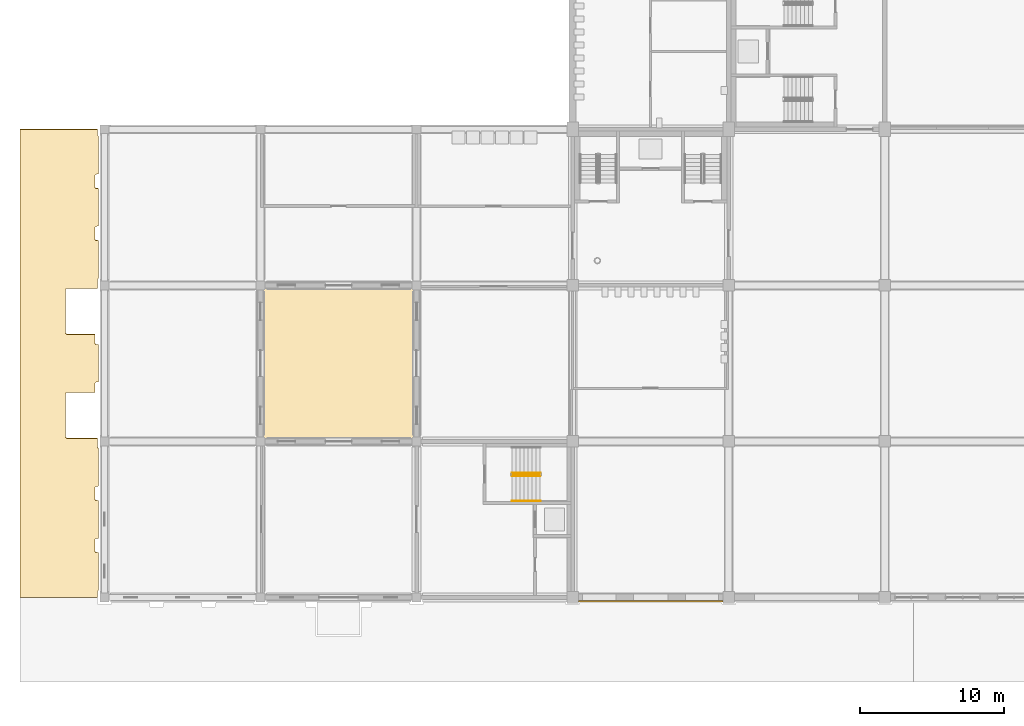
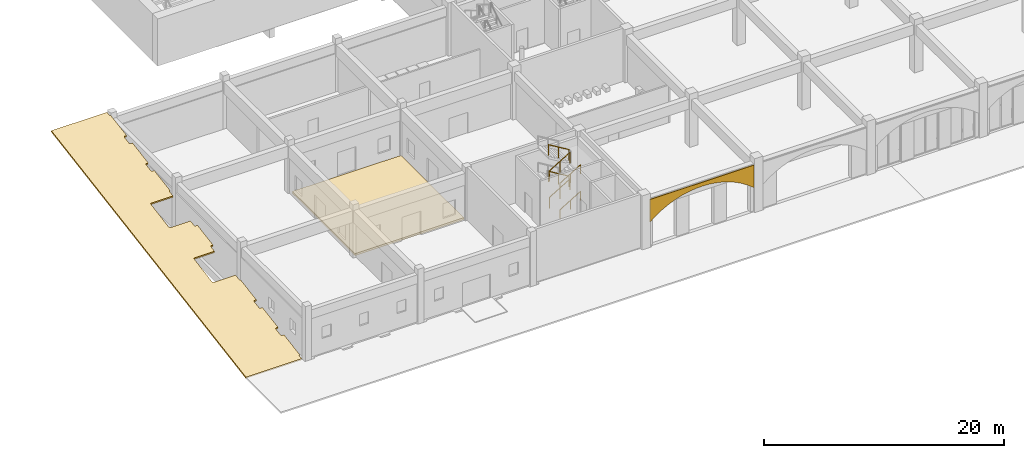
# One storey, part 75 of 101: 6 railings, 3 coverings.
"""IFC4 building model written with IfcOpenShell, lengths in metres."""

import ifcopenshell
import ifcopenshell.guid

model = None  # the IFC model being written
_history = None  # IfcOwnerHistory: only IFC2X3 demands one
_inside = {}  # id of a spatial element -> (the spatial element, [elements in it])
_under = {}  # id of a project, library or spatial element -> (it, [spatial elements below it])
_declared = {}  # id of a project -> (the project, [libraries it declares])
_typed = {}  # id of a type object -> (the type object, [elements of that type])
_made_of = {}  # id of a material, layer set ... -> (it, [elements and type objects made of it])


def new_model(schema):
    """Start an empty IFC model of exactly this schema.

    Asked for "IFC4X3", IfcOpenShell would pick the latest addendum, in which some entities
    have other attributes; the version numbers below select the first issue.
    IFC2X3 requires an IfcOwnerHistory on every rooted entity: one is made here for all.
    """
    global model, _history
    if schema == "IFC4X3":
        model = ifcopenshell.file(schema_version=(4, 3, 0, 0))
    else:
        model = ifcopenshell.file(schema=schema)
    _inside.clear()
    _under.clear()
    _declared.clear()
    _typed.clear()
    _made_of.clear()
    _history = None
    if model.schema == "IFC2X3":
        org = make("IfcOrganization", Name="unknown")
        user = make(
            "IfcPersonAndOrganization",
            ThePerson=make("IfcPerson", FamilyName="unknown"),
            TheOrganization=org,
        )
        app = make(
            "IfcApplication",
            ApplicationDeveloper=org,
            Version="unknown",
            ApplicationFullName="unknown",
            ApplicationIdentifier="unknown",
        )
        _history = make(
            "IfcOwnerHistory",
            OwningUser=user,
            OwningApplication=app,
            ChangeAction="ADDED",
            CreationDate=0,
        )
    return model


def make(cls, **values):
    """One entity of the class cls with the attributes given. An attribute that is None is left unset."""
    return model.create_entity(
        cls, **{name: value for name, value in values.items() if value is not None}
    )


def rooted(cls, **values):
    """An entity with a GlobalId (a new one), such as an element, a storey or a relation."""
    return make(cls, GlobalId=ifcopenshell.guid.new(), OwnerHistory=_history, **values)


def si_unit(unit_type, name, prefix=None):
    """IfcSIUnit, for example si_unit("LENGTHUNIT", "METRE", prefix="MILLI")."""
    return make("IfcSIUnit", UnitType=unit_type, Prefix=prefix, Name=name)


def assignment(units):
    """IfcUnitAssignment: the units of a project."""
    return None if units is None else make("IfcUnitAssignment", Units=units)


def point(xyz):
    """IfcCartesianPoint."""
    return None if xyz is None else make("IfcCartesianPoint", Coordinates=xyz)


def direction(xyz):
    """IfcDirection."""
    return None if xyz is None else make("IfcDirection", DirectionRatios=xyz)


def frame(location, z_axis=None, x_axis=None):
    """IfcAxis2Placement3D, a coordinate frame: its origin and axes. An axis left out is left unset."""
    return make(
        "IfcAxis2Placement3D",
        Location=point(location),
        Axis=direction(z_axis),
        RefDirection=direction(x_axis),
    )


def frame_2d(location, x_axis=None):
    """IfcAxis2Placement2D, a coordinate frame in the plane: its origin and x axis."""
    return make(
        "IfcAxis2Placement2D", Location=point(location), RefDirection=direction(x_axis)
    )


def origin():
    """The frame at (0, 0, 0) with its axes left unset."""
    return frame((0.0, 0.0, 0.0))


def origin_2d():
    """The frame at (0, 0) in the plane with its x axis left unset."""
    return frame_2d((0.0, 0.0))


def place(relative_to, where):
    """IfcLocalPlacement: puts the frame where relative to a parent placement (None: the world)."""
    return make(
        "IfcLocalPlacement", PlacementRelTo=relative_to, RelativePlacement=where
    )


def context(
    kind, dimensions, precision=None, world=None, true_north=None, identifier=None
):
    """IfcGeometricRepresentationContext, for example the 3D "Model" context."""
    return make(
        "IfcGeometricRepresentationContext",
        ContextIdentifier=identifier,
        ContextType=kind,
        CoordinateSpaceDimension=dimensions,
        Precision=precision,
        WorldCoordinateSystem=world,
        TrueNorth=true_north,
    )


def subcontext(parent, identifier, kind, view, scale=None):
    """IfcGeometricRepresentationSubContext, for example "Body" below "Model"."""
    return make(
        "IfcGeometricRepresentationSubContext",
        ContextIdentifier=identifier,
        ContextType=kind,
        ParentContext=parent,
        TargetScale=scale,
        TargetView=view,
    )


def project(units=None, contexts=None):
    """IfcProject with its units and contexts."""
    return rooted(
        "IfcProject",
        Name="project",
        RepresentationContexts=contexts,
        UnitsInContext=assignment(units),
    )


def spatial(cls, under=None, at=None, **own):
    """A site, building, storey or space (cls), placed at a placement, below another one or the project."""
    s = rooted(cls, ObjectPlacement=at, **own)
    if under is not None:
        _under.setdefault(under.id(), (under, []))[1].append(s)
    return s


def polyline(points):
    """IfcPolyline through the points."""
    return make("IfcPolyline", Points=[point(p) for p in points])


def profile(cls, at=None, kind="AREA", **sizes):
    """A parametric profile (cls). Its sizes go by their IFC names, for example OverallWidth=200.0."""
    return make(cls, ProfileType=kind, Position=at, **sizes)


def rectangle(**sizes):
    """IfcRectangleProfileDef."""
    return profile("IfcRectangleProfileDef", **sizes)


def circle(**sizes):
    """IfcCircleProfileDef."""
    return profile("IfcCircleProfileDef", **sizes)


def outline(outer, holes=None, kind="AREA"):
    """IfcArbitraryClosedProfileDef: a profile drawn as a closed curve; with holes, ...WithVoids."""
    if holes is None:
        return make("IfcArbitraryClosedProfileDef", ProfileType=kind, OuterCurve=outer)
    return make(
        "IfcArbitraryProfileDefWithVoids",
        ProfileType=kind,
        OuterCurve=outer,
        InnerCurves=holes,
    )


def extrude(swept, where, along, depth):
    """IfcExtrudedAreaSolid: the profile swept, set in the frame where, extruded along a direction by depth."""
    return make(
        "IfcExtrudedAreaSolid",
        SweptArea=swept,
        Position=where,
        ExtrudedDirection=direction(along),
        Depth=depth,
    )


def shape(context_of_items, identifier, shape_type, items):
    """IfcShapeRepresentation: the items that make up one representation, for example the "Body"."""
    return make(
        "IfcShapeRepresentation",
        ContextOfItems=context_of_items,
        RepresentationIdentifier=identifier,
        RepresentationType=shape_type,
        Items=items,
    )


def material(Name=None, Category=None):
    """IfcMaterial."""
    return make("IfcMaterial", Name=Name, Category=Category)


def layer(
    of_material, thickness, ventilated=None, Name=None, Category=None, Priority=None
):
    """IfcMaterialLayer: one layer of a wall or slab, of a material (None: an air gap)."""
    return make(
        "IfcMaterialLayer",
        Material=of_material,
        LayerThickness=thickness,
        IsVentilated=ventilated,
        Name=Name,
        Category=Category,
        Priority=Priority,
    )


def layer_set(layers, Name=None):
    """IfcMaterialLayerSet."""
    return make("IfcMaterialLayerSet", MaterialLayers=layers, LayerSetName=Name)


def made_of(thing, what):
    """Note that an element or type object is made of a material, layer set ...; save() writes the relation."""
    if what is not None:
        _made_of.setdefault(what.id(), (what, []))[1].append(thing)
    return thing


def type_object(cls, material=None, **own):
    """A type object (cls), such as IfcWallType, which elements share."""
    return made_of(rooted(cls, **own), material)


def element(
    cls,
    number,
    at=None,
    inside=None,
    cuts=None,
    type_object=None,
    material=None,
    context=None,
    identifier="Body",
    shape_type=None,
    held_by="IfcProductDefinitionShape",
    body=None,
    shapes=None,
    **own,
):
    """One element of the class cls, such as IfcWall. Its Tag is "e" and its number.

    at: its placement. inside: the storey or other place that contains it. cuts: it is an
    opening in that element (IfcRelVoidsElement). A single representation is given by context,
    identifier, shape_type and body (its items); several are given by shapes. held_by: the class
    of the entity that holds the representations. save() writes the other relations.
    """
    e = rooted(cls, Tag="e%d" % number, ObjectPlacement=at, **own)
    if body is not None:
        shapes = [shape(context, identifier, shape_type, body)]
    if shapes is not None:
        e.Representation = make(held_by, Representations=shapes)
    if inside is not None:
        _inside.setdefault(inside.id(), (inside, []))[1].append(e)
    if cuts is not None:
        rooted(
            "IfcRelVoidsElement", RelatingBuildingElement=cuts, RelatedOpeningElement=e
        )
    if type_object is not None:
        _typed.setdefault(type_object.id(), (type_object, []))[1].append(e)
    return made_of(e, material)


def aggregate(whole, parts):
    """IfcRelAggregates: a whole, such as a stair, and the parts it consists of."""
    return rooted("IfcRelAggregates", RelatingObject=whole, RelatedObjects=parts)


def save(model, path):
    """Write the relations noted so far, then the file.

    IfcRelAggregates (storeys below a building ...), IfcRelContainedInSpatialStructure (elements
    in a storey), IfcRelDefinesByType, IfcRelAssociatesMaterial and IfcRelDeclares: one each for
    every whole, place, type object, material and project.
    """
    for whole, parts in _under.values():
        aggregate(whole, parts)
    for where, things in _inside.values():
        rooted(
            "IfcRelContainedInSpatialStructure",
            RelatedElements=things,
            RelatingStructure=where,
        )
    for kind, things in _typed.values():
        rooted("IfcRelDefinesByType", RelatedObjects=things, RelatingType=kind)
    for what, things in _made_of.values():
        rooted("IfcRelAssociatesMaterial", RelatedObjects=things, RelatingMaterial=what)
    for by, libraries in _declared.values():
        rooted("IfcRelDeclares", RelatingContext=by, RelatedDefinitions=libraries)
    model.write(path)


model = new_model("IFC4")

# Units and contexts
model_context = context("Model", 3, precision=1e-05, world=origin(), true_north=direction((0.0, 1.0)))
body_context = subcontext(model_context, "Body", "Model", "MODEL_VIEW")
ifc_project = project(units=[si_unit("LENGTHUNIT", "METRE"), si_unit("AREAUNIT", "SQUARE_METRE"), si_unit("VOLUMEUNIT", "CUBIC_METRE"), si_unit("PLANEANGLEUNIT", "RADIAN"), si_unit("MASSUNIT", "GRAM", prefix="KILO")], contexts=[model_context])

# Site, building, storey
site_placement = place(None, origin())
site = spatial("IfcSite", under=ifc_project, at=site_placement, CompositionType="ELEMENT")
building_placement = place(site_placement, origin())
building = spatial("IfcBuilding", under=site, at=building_placement, Name="Magnolia Steps Interchange", CompositionType="ELEMENT")
storey_placement = place(building_placement, frame((0.0, 0.0, -5.39990234375)))
storey = spatial("IfcBuildingStorey", under=building, at=storey_placement, Name="B1", CompositionType="ELEMENT", Elevation=-5.39990234375)

# Coverings
ifc_material_1 = material(Name="Lime render")
ifc_layer_1 = layer(ifc_material_1, 0.080078125)
ifc_layer_set_1 = layer_set([ifc_layer_1], Name="Lime render arch infill")
covering_type_1 = type_object("IfcCoveringType", Name="Lime render arch infill", PredefinedType="CLADDING", material=ifc_layer_set_1)
covering_1_placement = place(storey_placement, frame((42.800048828125, 9.77490234375, 2.39990234375), z_axis=(0.0, 1.0, 0.0), x_axis=(0.0, 0.0, 1.0)))
element("IfcCovering", 1, at=covering_1_placement, inside=storey, type_object=covering_type_1, Name="Arch spandrel south edge 1", PredefinedType="CLADDING", context=body_context, shape_type="SweptSolid", body=[
    extrude(outline(polyline([(0.0, 0.0), (2.300048828, 0.0), (2.300048828, 10.0), (0.0, 10.0), (0.498291016, 9.375), (0.899658203, 8.75), (1.220703125, 8.125), (1.472900391, 7.5), (1.662841797, 6.875), (1.795410156, 6.25), (1.874023438, 5.625), (1.899902344, 5.0), (1.874023438, 4.375), (1.795410156, 3.75), (1.662841797, 3.125), (1.472900391, 2.5), (1.220703125, 1.875), (0.899658203, 1.25), (0.498291016, 0.625), (0.0, 0.0)])), origin(), (0.0, 0.0, -1.0), 0.080078125),
])
ifc_material_2 = material(Name="Topsoil and turf on compacted fill")
ifc_layer_2 = layer(ifc_material_2, 0.14990234375)
ifc_layer_set_2 = layer_set([ifc_layer_2], Name="Planted bank 150")
covering_type_2 = type_object("IfcCoveringType", Name="Planted bank 150", PredefinedType="FLOORING", material=ifc_layer_set_2)
covering_2_placement = place(storey_placement, frame((4.14990234375, 42.39990234375, 5.39990234375), z_axis=(1.2634251e-05, -0.164393231235, 0.986394883079), x_axis=(0.99999999992, 2.076985e-06, -1.2462361e-05)))
element("IfcCovering", 2, at=covering_2_placement, inside=storey, type_object=covering_type_2, Name="Planted bank south west", PredefinedType="FLOORING", context=body_context, shape_type="SweptSolid", body=[
    extrude(outline(polyline([(0.0, 0.0), (5.361083984, 0.0), (5.350585938, -0.415332207), (5.450195311, -0.506883499), (5.450195312, -3.142605446), (5.236816405, -3.150271513), (5.175048826, -3.244070447), (5.179443358, -4.084367614), (5.24609375, -4.152198251), (5.450195313, -4.15641258), (5.450195313, -6.792375346), (5.236816406, -6.800041413), (5.175048828, -6.893599528), (5.17944336, -7.734137514), (5.246093752, -7.801727331), (5.450195311, -7.806142345), (5.450195315, -10.441904427), (5.350585938, -10.533455719), (5.350097656, -11.151717927), (3.25, -11.151717927), (3.16699219, -11.196550365), (3.150146487, -14.294363509), (3.240234377, -14.395346871), (5.175048829, -14.395828509), (5.18261719, -15.042828429), (5.255615234, -15.103434502), (5.450195314, -15.105441325), (5.450195314, -17.741404091), (5.255615236, -17.74312996), (5.182617189, -17.803776168), (5.175048828, -18.450976772), (3.25, -18.450976772), (3.166992189, -18.496050029), (3.152099611, -21.613409635), (3.250000001, -21.695087354), (5.350097657, -21.695087354), (5.350585938, -22.313349562), (5.450195314, -22.40470017), (5.450195314, -25.040662937), (5.246093752, -25.044877266), (5.17944336, -25.112667767), (5.175048829, -25.952964935), (5.236816407, -26.046763869), (5.450195312, -26.054429935), (5.450195316, -28.690192018), (5.246093751, -28.694607031), (5.179443362, -28.762196848), (5.17504883, -29.602734834), (5.236816409, -29.69629295), (5.450195314, -29.703959016), (5.450195314, -32.339921782), (5.350585941, -32.431272391), (5.358398438, -32.846805281), (1e-09, -32.846805281), (0.0, 0.0)])), origin(), (0.0, 0.0, -1.0), 0.14990234375),
])

# Railings
ifc_material_3 = material(Name="Stainless steel grade 304", Category="steel")
railing_type_1 = type_object("IfcRailingType", Name="Stair guard 1100", PredefinedType="GUARDRAIL", material=ifc_material_3)
railing_1_placement = place(storey_placement, frame((38.199951171875, 18.426025390625, 0.168701171875)))
element("IfcRailing", 3, at=railing_1_placement, inside=storey, type_object=railing_type_1, Name="B1 ST25 stair guard 1", PredefinedType="GUARDRAIL", context=body_context, shape_type="SweptSolid", body=[
    extrude(circle(Radius=0.02392578125, at=origin_2d()), frame((0.0, 0.0, 1.076171875), z_axis=(0.856493463811, 0.0, 0.516157869696), x_axis=(0.0, 1.0, 0.0)), (0.0, 0.0, 1.0), 2.288330078125),
    extrude(circle(Radius=0.02099609375, at=origin_2d()), origin(), (0.0, 0.0, 1.0), 1.052001953125),
    extrude(circle(Radius=0.02099609375, at=origin_2d()), frame((0.97998046875, 0.0, 0.590576171875)), (0.0, 0.0, 1.0), 1.052001953125),
    extrude(circle(Radius=0.02099609375, at=origin_2d()), frame((1.9599609375, 0.0, 1.18115234375)), (0.0, 0.0, 1.0), 1.052001953125),
])
railing_2_placement = place(storey_placement, frame((40.159912109375, 18.6240234375, 1.5185546875)))
element("IfcRailing", 4, at=railing_2_placement, inside=storey, type_object=railing_type_1, Name="B1 ST25 stair guard 3", PredefinedType="GUARDRAIL", context=body_context, shape_type="SweptSolid", body=[
    extrude(circle(Radius=0.02392578125, at=origin_2d()), frame((0.0, 0.0, 1.076171875), z_axis=(-0.856446297458, 0.0, 0.516236127728), x_axis=(0.0, -1.0, 0.0)), (0.0, 0.0, 1.0), 2.28857421875),
    extrude(circle(Radius=0.02099609375, at=origin_2d()), origin(), (0.0, 0.0, 1.0), 1.052001953125),
    extrude(circle(Radius=0.02099609375, at=origin_2d()), frame((-0.97998046875, 0.0, 0.5908203125)), (0.0, 0.0, 1.0), 1.052001953125),
    extrude(circle(Radius=0.02099609375, at=origin_2d()), frame((-1.9599609375, 0.0, 1.181396484375)), (0.0, 0.0, 1.0), 1.052001953125),
])
railing_3_placement = place(storey_placement, frame((38.199951171875, 18.426025390625, 2.86865234375)))
element("IfcRailing", 5, at=railing_3_placement, inside=storey, type_object=railing_type_1, Name="B1 ST25 stair guard 5", PredefinedType="GUARDRAIL", context=body_context, shape_type="SweptSolid", body=[
    extrude(circle(Radius=0.02392578125, at=origin_2d()), frame((0.0, 0.0, 1.076171875), z_axis=(0.856493463811, 0.0, 0.516157869696), x_axis=(0.0, 1.0, 0.0)), (0.0, 0.0, 1.0), 2.288330078125),
    extrude(circle(Radius=0.02099609375, at=origin_2d()), origin(), (0.0, 0.0, 1.0), 1.052001953125),
    extrude(circle(Radius=0.02099609375, at=origin_2d()), frame((0.97998046875, 0.0, 0.590576171875)), (0.0, 0.0, 1.0), 1.052001953125),
    extrude(circle(Radius=0.02099609375, at=origin_2d()), frame((1.9599609375, 0.0, 1.18115234375)), (0.0, 0.0, 1.0), 1.052001953125),
])
railing_4_placement = place(storey_placement, frame((40.159912109375, 18.6240234375, 4.21875)))
element("IfcRailing", 6, at=railing_4_placement, inside=storey, type_object=railing_type_1, Name="B1 ST25 stair guard 7", PredefinedType="GUARDRAIL", context=body_context, shape_type="SweptSolid", body=[
    extrude(circle(Radius=0.02392578125, at=origin_2d()), frame((0.0, 0.0, 1.076171875), z_axis=(-0.856493463811, 0.0, 0.516157869696), x_axis=(0.0, -1.0, 0.0)), (0.0, 0.0, 1.0), 2.288330078125),
    extrude(circle(Radius=0.02099609375, at=origin_2d()), origin(), (0.0, 0.0, 1.0), 1.052001953125),
    extrude(circle(Radius=0.02099609375, at=origin_2d()), frame((-0.97998046875, 0.0, 0.590576171875)), (0.0, 0.0, 1.0), 1.052001953125),
    extrude(circle(Radius=0.02099609375, at=origin_2d()), frame((-1.9599609375, 0.0, 1.18115234375)), (0.0, 0.0, 1.0), 1.052001953125),
])
ifc_material_4 = material(Name="Stainless steel grade 304", Category="steel")
railing_type_2 = type_object("IfcRailingType", Name="Stair handrail 900", PredefinedType="HANDRAIL", material=ifc_material_4)
for number, where, name in (
    (7, (38.199951171875, 16.674072265625, 0.168701171875), "B1 ST25 stair handrail 1"),
    (8, (38.199951171875, 16.674072265625, 2.86865234375), "B1 ST25 stair handrail 3"),
):
    element("IfcRailing", number, at=place(storey_placement, frame(where)), inside=storey, type_object=railing_type_2, Name=name, PredefinedType="HANDRAIL", context=body_context, shape_type="SweptSolid", body=[
        extrude(circle(Radius=0.02392578125, at=origin_2d()), frame((0.0, 0.0, 0.8759765625), z_axis=(0.856493463811, 0.0, 0.516157869696), x_axis=(0.0, 1.0, 0.0)), (0.0, 0.0, 1.0), 2.288330078125),
        extrude(circle(Radius=0.02099609375, at=origin_2d()), origin(), (0.0, 0.0, 1.0), 0.851806640625),
        extrude(circle(Radius=0.02099609375, at=origin_2d()), frame((0.97998046875, 0.0, 0.590576171875)), (0.0, 0.0, 1.0), 0.851806640625),
        extrude(circle(Radius=0.02099609375, at=origin_2d()), frame((1.9599609375, 0.0, 1.18115234375)), (0.0, 0.0, 1.0), 0.851806640625),
    ])

# Covering
ifc_material_5 = material(Name="Natural stone paving", Category="masonry")
ifc_layer_3 = layer(ifc_material_5, 0.199951171875)
ifc_layer_set_3 = layer_set([ifc_layer_3], Name="Stone paving 200")
covering_type_3 = type_object("IfcCoveringType", Name="Stone paving 200", PredefinedType="FLOORING", material=ifc_layer_set_3)
covering_3_placement = place(storey_placement, frame((26.199951171875, 26.199951171875, -0.2001953125), z_axis=(0.0, 0.0, 1.0), x_axis=(1.0, 0.0, 0.0)))
element("IfcCovering", 9, at=covering_3_placement, inside=storey, type_object=covering_type_3, Name="Patio court paving", PredefinedType="FLOORING", context=body_context, shape_type="SweptSolid", body=[
    extrude(rectangle(XDim=10.449951171875, YDim=10.449951171875, at=origin_2d()), origin(), (0.0, 0.0, 1.0), 0.199951171875),
])

save(model, "model.ifc")
